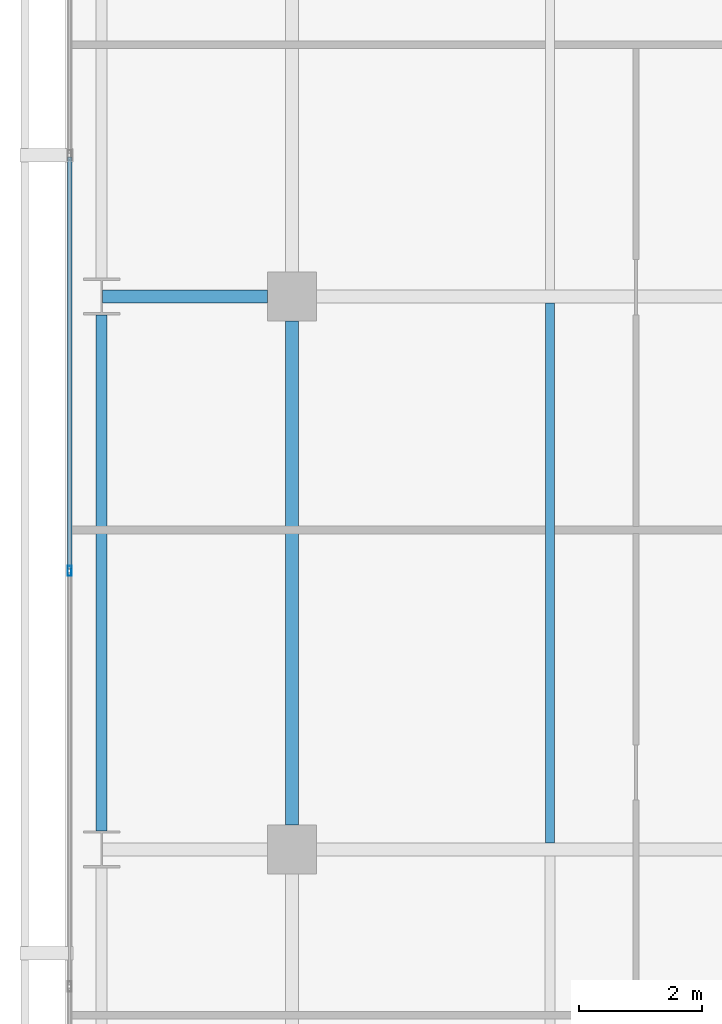
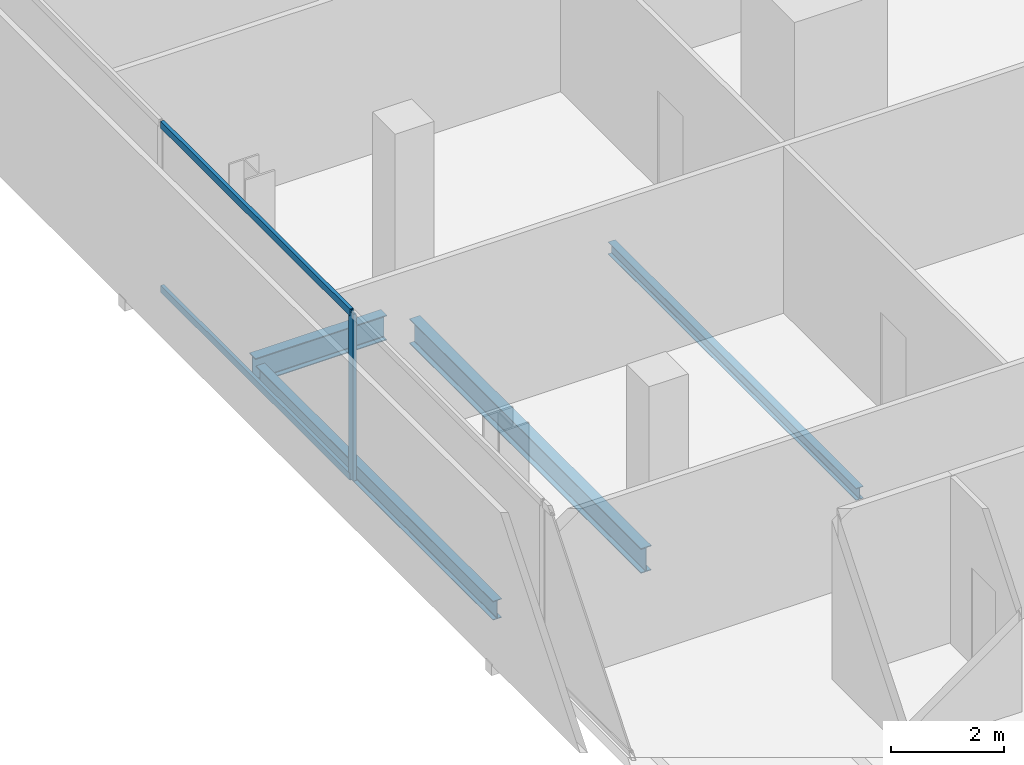
# One storey, part 8 of 32: 4 beams, 3 members, 1 element without a shape of its own.
"""IFC4 building model written with IfcOpenShell, lengths in metres."""

import ifcopenshell
import ifcopenshell.guid

model = None  # the IFC model being written
_history = None  # IfcOwnerHistory: only IFC2X3 demands one
_inside = {}  # id of a spatial element -> (the spatial element, [elements in it])
_under = {}  # id of a project, library or spatial element -> (it, [spatial elements below it])
_declared = {}  # id of a project -> (the project, [libraries it declares])
_typed = {}  # id of a type object -> (the type object, [elements of that type])
_made_of = {}  # id of a material, layer set ... -> (it, [elements and type objects made of it])


def new_model(schema):
    """Start an empty IFC model of exactly this schema.

    Asked for "IFC4X3", IfcOpenShell would pick the latest addendum, in which some entities
    have other attributes; the version numbers below select the first issue.
    IFC2X3 requires an IfcOwnerHistory on every rooted entity: one is made here for all.
    """
    global model, _history
    if schema == "IFC4X3":
        model = ifcopenshell.file(schema_version=(4, 3, 0, 0))
    else:
        model = ifcopenshell.file(schema=schema)
    _inside.clear()
    _under.clear()
    _declared.clear()
    _typed.clear()
    _made_of.clear()
    _history = None
    if model.schema == "IFC2X3":
        org = make("IfcOrganization", Name="unknown")
        user = make(
            "IfcPersonAndOrganization",
            ThePerson=make("IfcPerson", FamilyName="unknown"),
            TheOrganization=org,
        )
        app = make(
            "IfcApplication",
            ApplicationDeveloper=org,
            Version="unknown",
            ApplicationFullName="unknown",
            ApplicationIdentifier="unknown",
        )
        _history = make(
            "IfcOwnerHistory",
            OwningUser=user,
            OwningApplication=app,
            ChangeAction="ADDED",
            CreationDate=0,
        )
    return model


def make(cls, **values):
    """One entity of the class cls with the attributes given. An attribute that is None is left unset."""
    return model.create_entity(
        cls, **{name: value for name, value in values.items() if value is not None}
    )


def rooted(cls, **values):
    """An entity with a GlobalId (a new one), such as an element, a storey or a relation."""
    return make(cls, GlobalId=ifcopenshell.guid.new(), OwnerHistory=_history, **values)


def si_unit(unit_type, name, prefix=None):
    """IfcSIUnit, for example si_unit("LENGTHUNIT", "METRE", prefix="MILLI")."""
    return make("IfcSIUnit", UnitType=unit_type, Prefix=prefix, Name=name)


def assignment(units):
    """IfcUnitAssignment: the units of a project."""
    return None if units is None else make("IfcUnitAssignment", Units=units)


def point(xyz):
    """IfcCartesianPoint."""
    return None if xyz is None else make("IfcCartesianPoint", Coordinates=xyz)


def direction(xyz):
    """IfcDirection."""
    return None if xyz is None else make("IfcDirection", DirectionRatios=xyz)


def frame(location, z_axis=None, x_axis=None):
    """IfcAxis2Placement3D, a coordinate frame: its origin and axes. An axis left out is left unset."""
    return make(
        "IfcAxis2Placement3D",
        Location=point(location),
        Axis=direction(z_axis),
        RefDirection=direction(x_axis),
    )


def frame_2d(location, x_axis=None):
    """IfcAxis2Placement2D, a coordinate frame in the plane: its origin and x axis."""
    return make(
        "IfcAxis2Placement2D", Location=point(location), RefDirection=direction(x_axis)
    )


def origin():
    """The frame at (0, 0, 0) with its axes left unset."""
    return frame((0.0, 0.0, 0.0))


def origin_2d():
    """The frame at (0, 0) in the plane with its x axis left unset."""
    return frame_2d((0.0, 0.0))


def place(relative_to, where):
    """IfcLocalPlacement: puts the frame where relative to a parent placement (None: the world)."""
    return make(
        "IfcLocalPlacement", PlacementRelTo=relative_to, RelativePlacement=where
    )


def context(
    kind, dimensions, precision=None, world=None, true_north=None, identifier=None
):
    """IfcGeometricRepresentationContext, for example the 3D "Model" context."""
    return make(
        "IfcGeometricRepresentationContext",
        ContextIdentifier=identifier,
        ContextType=kind,
        CoordinateSpaceDimension=dimensions,
        Precision=precision,
        WorldCoordinateSystem=world,
        TrueNorth=true_north,
    )


def subcontext(parent, identifier, kind, view, scale=None):
    """IfcGeometricRepresentationSubContext, for example "Body" below "Model"."""
    return make(
        "IfcGeometricRepresentationSubContext",
        ContextIdentifier=identifier,
        ContextType=kind,
        ParentContext=parent,
        TargetScale=scale,
        TargetView=view,
    )


def project(units=None, contexts=None):
    """IfcProject with its units and contexts."""
    return rooted(
        "IfcProject",
        Name="project",
        RepresentationContexts=contexts,
        UnitsInContext=assignment(units),
    )


def spatial(cls, under=None, at=None, **own):
    """A site, building, storey or space (cls), placed at a placement, below another one or the project."""
    s = rooted(cls, ObjectPlacement=at, **own)
    if under is not None:
        _under.setdefault(under.id(), (under, []))[1].append(s)
    return s


def profile(cls, at=None, kind="AREA", **sizes):
    """A parametric profile (cls). Its sizes go by their IFC names, for example OverallWidth=200.0."""
    return make(cls, ProfileType=kind, Position=at, **sizes)


def hollow_rectangle(**sizes):
    """IfcRectangleHollowProfileDef."""
    return profile("IfcRectangleHollowProfileDef", **sizes)


def i_section(**sizes):
    """IfcIShapeProfileDef."""
    return profile("IfcIShapeProfileDef", **sizes)


def extrude(swept, where, along, depth):
    """IfcExtrudedAreaSolid: the profile swept, set in the frame where, extruded along a direction by depth."""
    return make(
        "IfcExtrudedAreaSolid",
        SweptArea=swept,
        Position=where,
        ExtrudedDirection=direction(along),
        Depth=depth,
    )


def shape(context_of_items, identifier, shape_type, items):
    """IfcShapeRepresentation: the items that make up one representation, for example the "Body"."""
    return make(
        "IfcShapeRepresentation",
        ContextOfItems=context_of_items,
        RepresentationIdentifier=identifier,
        RepresentationType=shape_type,
        Items=items,
    )


def material(Name=None, Category=None):
    """IfcMaterial."""
    return make("IfcMaterial", Name=Name, Category=Category)


def layer(
    of_material, thickness, ventilated=None, Name=None, Category=None, Priority=None
):
    """IfcMaterialLayer: one layer of a wall or slab, of a material (None: an air gap)."""
    return make(
        "IfcMaterialLayer",
        Material=of_material,
        LayerThickness=thickness,
        IsVentilated=ventilated,
        Name=Name,
        Category=Category,
        Priority=Priority,
    )


def layer_set(layers, Name=None):
    """IfcMaterialLayerSet."""
    return make("IfcMaterialLayerSet", MaterialLayers=layers, LayerSetName=Name)


def material_profile(
    of_material, cross_section, Name=None, Category=None, Priority=None
):
    """IfcMaterialProfile: a cross section and its material."""
    return make(
        "IfcMaterialProfile",
        Name=Name,
        Material=of_material,
        Profile=cross_section,
        Priority=Priority,
        Category=Category,
    )


def profile_set(profiles, Name=None, composite=None):
    """IfcMaterialProfileSet."""
    return make(
        "IfcMaterialProfileSet",
        Name=Name,
        MaterialProfiles=profiles,
        CompositeProfile=composite,
    )


def made_of(thing, what):
    """Note that an element or type object is made of a material, layer set ...; save() writes the relation."""
    if what is not None:
        _made_of.setdefault(what.id(), (what, []))[1].append(thing)
    return thing


def type_object(cls, material=None, **own):
    """A type object (cls), such as IfcWallType, which elements share."""
    return made_of(rooted(cls, **own), material)


def element(
    cls,
    number,
    at=None,
    inside=None,
    cuts=None,
    type_object=None,
    material=None,
    context=None,
    identifier="Body",
    shape_type=None,
    held_by="IfcProductDefinitionShape",
    body=None,
    shapes=None,
    **own,
):
    """One element of the class cls, such as IfcWall. Its Tag is "e" and its number.

    at: its placement. inside: the storey or other place that contains it. cuts: it is an
    opening in that element (IfcRelVoidsElement). A single representation is given by context,
    identifier, shape_type and body (its items); several are given by shapes. held_by: the class
    of the entity that holds the representations. save() writes the other relations.
    """
    e = rooted(cls, Tag="e%d" % number, ObjectPlacement=at, **own)
    if body is not None:
        shapes = [shape(context, identifier, shape_type, body)]
    if shapes is not None:
        e.Representation = make(held_by, Representations=shapes)
    if inside is not None:
        _inside.setdefault(inside.id(), (inside, []))[1].append(e)
    if cuts is not None:
        rooted(
            "IfcRelVoidsElement", RelatingBuildingElement=cuts, RelatedOpeningElement=e
        )
    if type_object is not None:
        _typed.setdefault(type_object.id(), (type_object, []))[1].append(e)
    return made_of(e, material)


def aggregate(whole, parts):
    """IfcRelAggregates: a whole, such as a stair, and the parts it consists of."""
    return rooted("IfcRelAggregates", RelatingObject=whole, RelatedObjects=parts)


def save(model, path):
    """Write the relations noted so far, then the file.

    IfcRelAggregates (storeys below a building ...), IfcRelContainedInSpatialStructure (elements
    in a storey), IfcRelDefinesByType, IfcRelAssociatesMaterial and IfcRelDeclares: one each for
    every whole, place, type object, material and project.
    """
    for whole, parts in _under.values():
        aggregate(whole, parts)
    for where, things in _inside.values():
        rooted(
            "IfcRelContainedInSpatialStructure",
            RelatedElements=things,
            RelatingStructure=where,
        )
    for kind, things in _typed.values():
        rooted("IfcRelDefinesByType", RelatedObjects=things, RelatingType=kind)
    for what, things in _made_of.values():
        rooted("IfcRelAssociatesMaterial", RelatedObjects=things, RelatingMaterial=what)
    for by, libraries in _declared.values():
        rooted("IfcRelDeclares", RelatingContext=by, RelatedDefinitions=libraries)
    model.write(path)


model = new_model("IFC4")

# Units and contexts
model_context = context("Model", 3, precision=1e-05, world=origin(), true_north=direction((0.0, 1.0)))
body_context = subcontext(model_context, "Body", "Model", "MODEL_VIEW")
ifc_project = project(units=[si_unit("LENGTHUNIT", "METRE"), si_unit("AREAUNIT", "SQUARE_METRE"), si_unit("VOLUMEUNIT", "CUBIC_METRE"), si_unit("PLANEANGLEUNIT", "RADIAN"), si_unit("MASSUNIT", "GRAM", prefix="KILO")], contexts=[model_context])

# Site, building, storey
site_placement = place(None, origin())
site = spatial("IfcSite", under=ifc_project, at=site_placement, CompositionType="ELEMENT")
building_placement = place(site_placement, origin())
building = spatial("IfcBuilding", under=site, at=building_placement, Name="Maruvema Waterfront Hotel and Observation Tower", CompositionType="ELEMENT")
storey_placement = place(building_placement, frame((0.0, 0.0, 219.800048828125)))
storey = spatial("IfcBuildingStorey", under=building, at=storey_placement, Name="L54", CompositionType="ELEMENT", Elevation=219.800048828125)

# Curtain wall, members
ifc_material_1 = material(Name="Anodised bronze aluminium and solar-control low-E IGU", Category="aluminium")
ifc_layer = layer(ifc_material_1, 0.159912109375, Name="Zone 2 Amber Inner Thermal Curtain Wall System CW-03")
ifc_layer_set = layer_set([ifc_layer], Name="Anodised bronze aluminium and solar-control low-E IGU")
curtain_wall_type = type_object("IfcCurtainWallType", Name="Zone 2 Amber Inner Thermal Curtain Wall System CW-03", PredefinedType="USERDEFINED", material=ifc_layer_set)
curtain_wall_placement = place(storey_placement, origin())
curtain_wall = element("IfcCurtainWall", 1, at=curtain_wall_placement, inside=storey, type_object=curtain_wall_type, Name="L54 Curtain Wall CW-L54-W", ObjectType="UNITISED CURTAIN WALL", PredefinedType="USERDEFINED")
ifc_material_2 = material(Name="Anodised architectural bronze aluminium", Category="aluminium")
ifc_material_profile_1 = material_profile(ifc_material_2, hollow_rectangle(XDim=0.070068359375, YDim=0.14990234375, WallThickness=0.00390625, at=origin_2d()), Name="ALU-T70x150")
ifc_profile_set_1 = profile_set([ifc_material_profile_1], Name="Anodised architectural bronze aluminium")
member_type_1 = type_object("IfcMemberType", Name="Curtain Wall Horizontal Transom ALU-T70x150", PredefinedType="USERDEFINED", material=ifc_profile_set_1)
member_1_placement = place(storey_placement, frame((13.179931640625, 29.27001953125, 0.030029296875), z_axis=(0.0, -1.0, 0.0), x_axis=(1.0, 0.0, 0.0)))
member_1 = element("IfcMember", 2, at=member_1_placement, type_object=member_type_1, Name="CW-03 transom 4.1", ObjectType="TRANSOM", PredefinedType="USERDEFINED", context=body_context, shape_type="SweptSolid", body=[
    extrude(hollow_rectangle(XDim=0.070068359375, YDim=0.14990234375, WallThickness=0.00390625, at=origin_2d()), origin(), (0.0, 0.0, 1.0), 6.706787109375),
])
member_2_placement = place(storey_placement, frame((13.179931640625, 29.27001953125, 3.579833984375), z_axis=(0.0, -1.0, 0.0), x_axis=(1.0, 0.0, 0.0)))
member_2 = element("IfcMember", 3, at=member_2_placement, type_object=member_type_1, Name="CW-03 transom 4.2", ObjectType="TRANSOM", PredefinedType="USERDEFINED", context=body_context, shape_type="SweptSolid", body=[
    extrude(hollow_rectangle(XDim=0.070068359375, YDim=0.14990234375, WallThickness=0.00390625, at=origin_2d()), origin(), (0.0, 0.0, 1.0), 6.706787109375),
])
ifc_material_3 = material(Name="Anodised architectural bronze aluminium", Category="aluminium")
ifc_material_profile_2 = material_profile(ifc_material_3, hollow_rectangle(XDim=0.06494140625, YDim=0.1650390625, WallThickness=0.00390625, at=origin_2d()), Name="ALU-M65x165")
ifc_profile_set_2 = profile_set([ifc_material_profile_2], Name="Anodised architectural bronze aluminium")
member_type_2 = type_object("IfcMemberType", Name="Curtain Wall Primary Mullion ALU-M65x165", PredefinedType="MULLION", material=ifc_profile_set_2)
member_3_placement = place(storey_placement, frame((13.179931640625, 22.533447265625, 0.0), z_axis=(0.0, 0.0, 1.0), x_axis=(1.0, 0.0, 0.0)))
member_3 = element("IfcMember", 4, at=member_3_placement, type_object=member_type_2, Name="CW-03 mullion 5", PredefinedType="MULLION", context=body_context, shape_type="SweptSolid", body=[
    extrude(hollow_rectangle(XDim=0.06494140625, YDim=0.1650390625, WallThickness=0.00390625, at=origin_2d()), origin(), (0.0, 0.0, 1.0), 3.60986328125),
])
aggregate(curtain_wall, [member_3, member_1, member_2])

# Beams
ifc_material_4 = material(Name="Steel ASTM A572 Grade 50", Category="steel")
ifc_material_profile_3 = material_profile(ifc_material_4, i_section(OverallWidth=0.178955078125, OverallDepth=0.409912109375, WebThickness=0.0087890625, FlangeThickness=0.014404296875, FilletRadius=0.014892578125, at=origin_2d()), Name="W410x67.0")
ifc_profile_set_3 = profile_set([ifc_material_profile_3], Name="Steel ASTM A572 Grade 50")
beam_type_1 = type_object("IfcBeamType", Name="Perimeter Spandrel Beam W410x67.0", PredefinedType="SPANDREL", material=ifc_profile_set_3)
beam_1_placement = place(storey_placement, frame((13.699951171875, 18.300048828125, -0.445068359375), z_axis=(0.0, 1.0, 0.0), x_axis=(-1.0, 0.0, 0.0)))
element("IfcBeam", 5, at=beam_1_placement, inside=storey, type_object=beam_type_1, Name="L54 Floor Girder NS-02", PredefinedType="SPANDREL", context=body_context, shape_type="SweptSolid", body=[
    extrude(i_section(OverallWidth=0.178955078125, OverallDepth=0.409912109375, WebThickness=0.0087890625, FlangeThickness=0.014404296875, FilletRadius=0.014892578125, at=origin_2d()), origin(), (0.0, 0.0, 1.0), 8.39990234375),
])
ifc_material_5 = material(Name="Steel ASTM A572 Grade 50", Category="steel")
ifc_material_profile_4 = material_profile(ifc_material_5, i_section(OverallWidth=0.2109375, OverallDepth=0.5390625, WebThickness=0.01171875, FlangeThickness=0.018798828125, FilletRadius=0.014892578125, at=origin_2d()), Name="W530x109.0")
ifc_profile_set_4 = profile_set([ifc_material_profile_4], Name="Steel ASTM A572 Grade 50")
beam_type_2 = type_object("IfcBeamType", Name="Primary Floor Girder W530x109.0", PredefinedType="BEAM", material=ifc_profile_set_4)
beam_2_placement = place(storey_placement, frame((13.71240234375, 27.0, -0.509521484375), z_axis=(1.0, 0.0, 0.0), x_axis=(0.0, 1.0, 0.0)))
element("IfcBeam", 6, at=beam_2_placement, inside=storey, type_object=beam_type_2, Name="L54 Floor Girder EW-18", PredefinedType="BEAM", context=body_context, shape_type="SweptSolid", body=[
    extrude(i_section(OverallWidth=0.2109375, OverallDepth=0.5390625, WebThickness=0.01171875, FlangeThickness=0.018798828125, FilletRadius=0.014892578125, at=origin_2d()), origin(), (0.0, 0.0, 1.0), 2.6875),
])
beam_3_placement = place(storey_placement, frame((16.800048828125, 18.39990234375, -0.509521484375), z_axis=(0.0, 1.0, 0.0), x_axis=(-1.0, 0.0, 0.0)))
element("IfcBeam", 7, at=beam_3_placement, inside=storey, type_object=beam_type_2, Name="L54 Floor Girder NS-06", PredefinedType="BEAM", context=body_context, shape_type="SweptSolid", body=[
    extrude(i_section(OverallWidth=0.2109375, OverallDepth=0.5390625, WebThickness=0.01171875, FlangeThickness=0.018798828125, FilletRadius=0.014892578125, at=origin_2d()), origin(), (0.0, 0.0, 1.0), 8.2001953125),
])
ifc_material_6 = material(Name="Steel ASTM A572 Grade 50", Category="steel")
ifc_material_profile_5 = material_profile(ifc_material_6, i_section(OverallWidth=0.14794921875, OverallDepth=0.26611328125, WebThickness=0.007568359375, FlangeThickness=0.012939453125, FilletRadius=0.012939453125, at=origin_2d()), Name="W250x44.8")
ifc_profile_set_5 = profile_set([ifc_material_profile_5], Name="Steel ASTM A572 Grade 50")
beam_type_3 = type_object("IfcBeamType", Name="Secondary Floor Joist W250x44.8", PredefinedType="JOIST", material=ifc_profile_set_5)
beam_4_placement = place(storey_placement, frame((21.0, 18.10546875, -0.373046875), z_axis=(0.0, 1.0, 0.0), x_axis=(-1.0, 0.0, 0.0)))
element("IfcBeam", 8, at=beam_4_placement, inside=storey, type_object=beam_type_3, Name="L54 Secondary Floor Joist JS-02", PredefinedType="JOIST", context=body_context, shape_type="SweptSolid", body=[
    extrude(i_section(OverallWidth=0.14794921875, OverallDepth=0.26611328125, WebThickness=0.007568359375, FlangeThickness=0.012939453125, FilletRadius=0.012939453125, at=origin_2d()), origin(), (0.0, 0.0, 1.0), 8.7890625),
])

save(model, "model.ifc")
